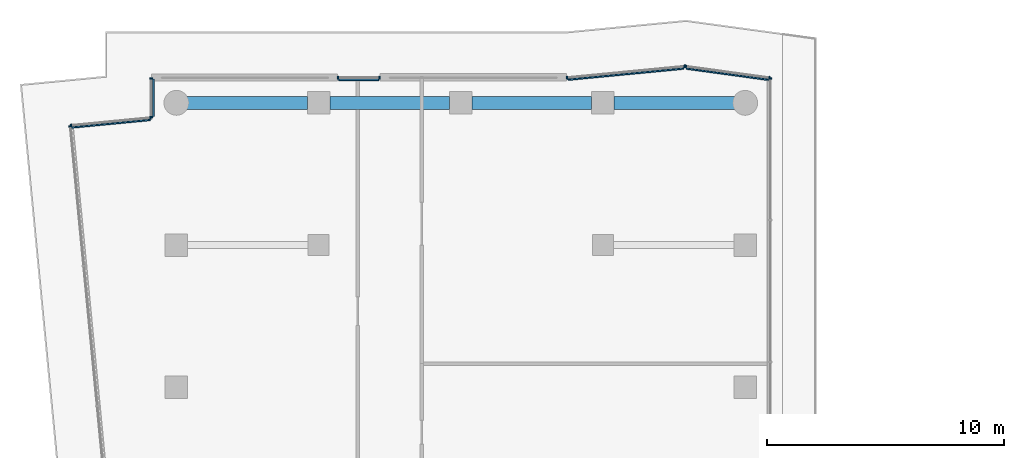
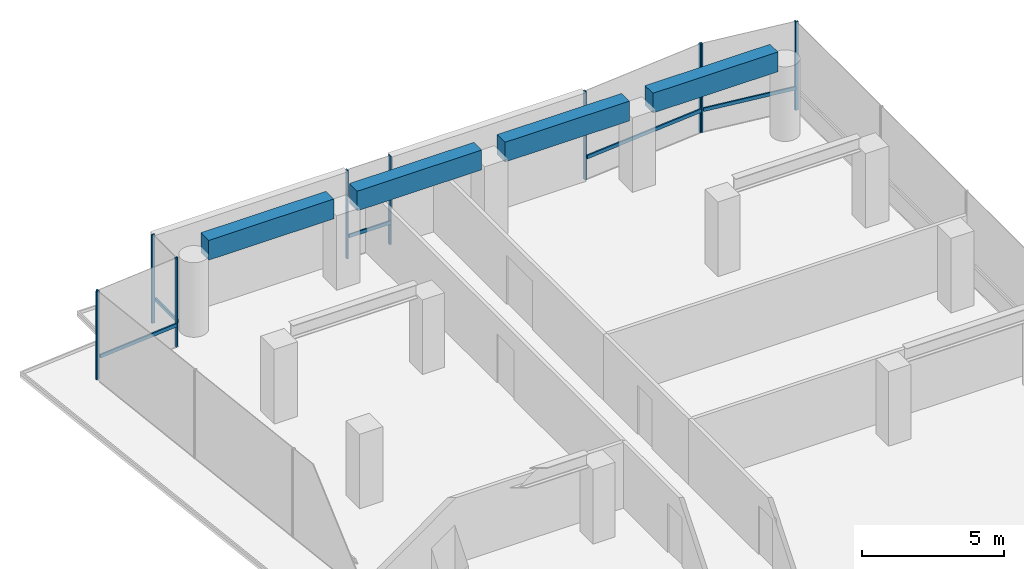
# One storey, part 16 of 22: 17 members, 4 beams, 7 elements without a shape of their own.
"""IFC4 building model written with IfcOpenShell, lengths in metres."""

from ifc_helpers import new_model, si_unit, direction, frame, origin, origin_2d, place, context, subcontext, project, spatial, rectangle, extrude, material, layer, layer_set, material_profile, profile_set, type_object, element, aggregate, save


model = new_model("IFC4")

# Units and contexts
model_context = context("Model", 3, precision=1e-05, world=origin(), true_north=direction((0.0, 1.0)))
body_context = subcontext(model_context, "Body", "Model", "MODEL_VIEW")
ifc_project = project(units=[si_unit("LENGTHUNIT", "METRE"), si_unit("AREAUNIT", "SQUARE_METRE"), si_unit("VOLUMEUNIT", "CUBIC_METRE"), si_unit("PLANEANGLEUNIT", "RADIAN"), si_unit("MASSUNIT", "GRAM", prefix="KILO")], contexts=[model_context])

# Site, building, storey
site_placement = place(None, origin())
site = spatial("IfcSite", under=ifc_project, at=site_placement, CompositionType="ELEMENT")
building_placement = place(site_placement, origin())
building = spatial("IfcBuilding", under=site, at=building_placement, Name="Welwitschia Terrace Campus", CompositionType="ELEMENT")
storey_placement = place(building_placement, frame((0.0, 0.0, 192.800048828125)))
storey = spatial("IfcBuildingStorey", under=building, at=storey_placement, Name="L43", CompositionType="ELEMENT", Elevation=192.800048828125)

# Curtain wall, member
ifc_material_1 = material(Name="Bronze anodised aluminium", Category="aluminium")
ifc_layer = layer(ifc_material_1, 0.1201171875)
ifc_layer_set = layer_set([ifc_layer], Name="Bronze anodised aluminium")
curtain_wall_type = type_object("IfcCurtainWallType", Name="Curtain wall CW2 tower 6000", PredefinedType="NOTDEFINED", material=ifc_layer_set)
curtain_wall_1_placement = place(storey_placement, origin())
curtain_wall_1 = element("IfcCurtainWall", 1, at=curtain_wall_1_placement, inside=storey, type_object=curtain_wall_type, Name="CW L43.0.0", PredefinedType="NOTDEFINED")
ifc_material_2 = material(Name="Bronze anodised aluminium", Category="aluminium")
ifc_material_profile_1 = material_profile(ifc_material_2, rectangle(XDim=0.1201171875, YDim=0.06005859375, at=origin_2d()))
ifc_profile_set_1 = profile_set([ifc_material_profile_1], Name="Bronze anodised aluminium")
member_type_1 = type_object("IfcMemberType", Name="Mullion 60x120", PredefinedType="MULLION", material=ifc_profile_set_1)
member_1_placement = place(storey_placement, frame((-4.47509765625, 61.012451171875, 0.0), z_axis=(0.0, 0.0, 1.0), x_axis=(0.995396198367, 0.09584575252, 0.0)))
member_1 = element("IfcMember", 2, at=member_1_placement, type_object=member_type_1, Name="Mullion L43.0.0.0", PredefinedType="MULLION", context=body_context, shape_type="SweptSolid", body=[
    extrude(rectangle(XDim=0.1201171875, YDim=0.06005859375, at=origin_2d()), origin(), (0.0, 0.0, 1.0), 3.800048828125),
])
aggregate(curtain_wall_1, [member_1])

curtain_wall_2_placement = place(storey_placement, origin())
curtain_wall_2 = element("IfcCurtainWall", 3, at=curtain_wall_2_placement, inside=storey, type_object=curtain_wall_type, Name="CW L43.10.0", PredefinedType="NOTDEFINED")
member_2_placement = place(storey_placement, frame((25.05810546875, 63.0205078125, 0.0), z_axis=(0.0, 0.0, 1.0), x_axis=(-1.0, 0.0, 0.0)))
member_2 = element("IfcMember", 4, at=member_2_placement, type_object=member_type_1, Name="Mullion L43.10.0.6", PredefinedType="MULLION", context=body_context, shape_type="SweptSolid", body=[
    extrude(rectangle(XDim=0.1201171875, YDim=0.06005859375, at=origin_2d()), origin(), (0.0, 0.0, 1.0), 3.800048828125),
])
aggregate(curtain_wall_2, [member_2])

# Curtain wall, members
curtain_wall_3_placement = place(storey_placement, origin())
curtain_wall_3 = element("IfcCurtainWall", 5, at=curtain_wall_3_placement, inside=storey, type_object=curtain_wall_type, Name="CW L43.11.0", PredefinedType="NOTDEFINED")
member_3_placement = place(storey_placement, frame((25.0283203125, 63.0546875, 0.0), z_axis=(0.0, 0.0, 1.0), x_axis=(-0.135155183395, -0.990824442775, 0.0)))
member_3 = element("IfcMember", 6, at=member_3_placement, type_object=member_type_1, Name="Mullion L43.11.0.0", PredefinedType="MULLION", context=body_context, shape_type="SweptSolid", body=[
    extrude(rectangle(XDim=0.1201171875, YDim=0.06005859375, at=origin_2d()), origin(), (0.0, 0.0, 1.0), 3.800048828125),
])
member_4_placement = place(storey_placement, frame((21.496337890625, 63.536376953125, 0.0), z_axis=(0.0, 0.0, 1.0), x_axis=(-0.135155183395, -0.990824442775, 0.0)))
member_4 = element("IfcMember", 7, at=member_4_placement, type_object=member_type_1, Name="Mullion L43.11.0.1", PredefinedType="MULLION", context=body_context, shape_type="SweptSolid", body=[
    extrude(rectangle(XDim=0.1201171875, YDim=0.06005859375, at=origin_2d()), origin(), (0.0, 0.0, 1.0), 3.800048828125),
])

curtain_wall_4_placement = place(storey_placement, origin())
curtain_wall_4 = element("IfcCurtainWall", 8, at=curtain_wall_4_placement, inside=storey, type_object=curtain_wall_type, Name="CW L43.12.0", PredefinedType="NOTDEFINED")
member_5_placement = place(storey_placement, frame((21.436767578125, 63.53759765625, 0.0), z_axis=(0.0, 0.0, 1.0), x_axis=(0.09584575252, -0.995396198367, 0.0)))
member_5 = element("IfcMember", 9, at=member_5_placement, type_object=member_type_1, Name="Mullion L43.12.0.0", PredefinedType="MULLION", context=body_context, shape_type="SweptSolid", body=[
    extrude(rectangle(XDim=0.1201171875, YDim=0.06005859375, at=origin_2d()), origin(), (0.0, 0.0, 1.0), 3.800048828125),
])
member_6_placement = place(storey_placement, frame((16.485595703125, 63.060791015625, 0.0), z_axis=(0.0, 0.0, 1.0), x_axis=(0.09584575252, -0.995396198367, 0.0)))
member_6 = element("IfcMember", 10, at=member_6_placement, type_object=member_type_1, Name="Mullion L43.12.0.1", PredefinedType="MULLION", context=body_context, shape_type="SweptSolid", body=[
    extrude(rectangle(XDim=0.1201171875, YDim=0.06005859375, at=origin_2d()), origin(), (0.0, 0.0, 1.0), 3.800048828125),
])

curtain_wall_5_placement = place(storey_placement, origin())
curtain_wall_5 = element("IfcCurtainWall", 11, at=curtain_wall_5_placement, inside=storey, type_object=curtain_wall_type, Name="CW L43.13.S0", PredefinedType="NOTDEFINED")
member_7_placement = place(storey_placement, frame((8.56884765625, 63.05810546875, 0.0), z_axis=(0.0, 0.0, 1.0), x_axis=(0.0, -1.0, 0.0)))
member_7 = element("IfcMember", 12, at=member_7_placement, type_object=member_type_1, Name="Mullion L43.13.S0.0", PredefinedType="MULLION", context=body_context, shape_type="SweptSolid", body=[
    extrude(rectangle(XDim=0.1201171875, YDim=0.06005859375, at=origin_2d()), origin(), (0.0, 0.0, 1.0), 3.800048828125),
])
member_8_placement = place(storey_placement, frame((6.828857421875, 63.05810546875, 0.0), z_axis=(0.0, 0.0, 1.0), x_axis=(0.0, -1.0, 0.0)))
member_8 = element("IfcMember", 13, at=member_8_placement, type_object=member_type_1, Name="Mullion L43.13.S0.1", PredefinedType="MULLION", context=body_context, shape_type="SweptSolid", body=[
    extrude(rectangle(XDim=0.1201171875, YDim=0.06005859375, at=origin_2d()), origin(), (0.0, 0.0, 1.0), 3.800048828125),
])

curtain_wall_6_placement = place(storey_placement, origin())
curtain_wall_6 = element("IfcCurtainWall", 14, at=curtain_wall_6_placement, inside=storey, type_object=curtain_wall_type, Name="CW L43.14.0", PredefinedType="NOTDEFINED")
member_9_placement = place(storey_placement, frame((-1.05810546875, 63.028076171875, 0.0), z_axis=(0.0, 0.0, 1.0), x_axis=(1.0, 0.0, 0.0)))
member_9 = element("IfcMember", 15, at=member_9_placement, type_object=member_type_1, Name="Mullion L43.14.0.0", PredefinedType="MULLION", context=body_context, shape_type="SweptSolid", body=[
    extrude(rectangle(XDim=0.1201171875, YDim=0.06005859375, at=origin_2d()), origin(), (0.0, 0.0, 1.0), 3.800048828125),
])
member_10_placement = place(storey_placement, frame((-1.05810546875, 61.401611328125, 0.0), z_axis=(0.0, 0.0, 1.0), x_axis=(1.0, 0.0, 0.0)))
member_10 = element("IfcMember", 16, at=member_10_placement, type_object=member_type_1, Name="Mullion L43.14.0.1", PredefinedType="MULLION", context=body_context, shape_type="SweptSolid", body=[
    extrude(rectangle(XDim=0.1201171875, YDim=0.06005859375, at=origin_2d()), origin(), (0.0, 0.0, 1.0), 3.800048828125),
])

curtain_wall_7_placement = place(storey_placement, origin())
curtain_wall_7 = element("IfcCurtainWall", 17, at=curtain_wall_7_placement, inside=storey, type_object=curtain_wall_type, Name="CW L43.15.0", PredefinedType="NOTDEFINED")
member_11_placement = place(storey_placement, frame((-1.087890625, 61.36865234375, 0.0), z_axis=(0.0, 0.0, 1.0), x_axis=(0.09584575252, -0.995396198367, 0.0)))
member_11 = element("IfcMember", 18, at=member_11_placement, type_object=member_type_1, Name="Mullion L43.15.0.0", PredefinedType="MULLION", context=body_context, shape_type="SweptSolid", body=[
    extrude(rectangle(XDim=0.1201171875, YDim=0.06005859375, at=origin_2d()), origin(), (0.0, 0.0, 1.0), 3.800048828125),
])
member_12_placement = place(storey_placement, frame((-4.4482421875, 61.045166015625, 0.0), z_axis=(0.0, 0.0, 1.0), x_axis=(0.09584575252, -0.995396198367, 0.0)))
member_12 = element("IfcMember", 19, at=member_12_placement, type_object=member_type_1, Name="Mullion L43.15.0.1", PredefinedType="MULLION", context=body_context, shape_type="SweptSolid", body=[
    extrude(rectangle(XDim=0.1201171875, YDim=0.06005859375, at=origin_2d()), origin(), (0.0, 0.0, 1.0), 3.800048828125),
])

# Beams
ifc_material_3 = material(Name="Concrete C50/60", Category="concrete")
ifc_material_profile_2 = material_profile(ifc_material_3, rectangle(XDim=0.550048828125, YDim=0.85009765625, at=origin_2d()))
ifc_profile_set_2 = profile_set([ifc_material_profile_2], Name="Concrete C50/60")
beam_type = type_object("IfcBeamType", Name="Ring spandrel 550x850", PredefinedType="SPANDREL", material=ifc_profile_set_2)
beam_1_placement = place(storey_placement, frame((23.552001953125, 62.0, 3.375), z_axis=(-1.0, 0.0, 0.0), x_axis=(0.0, -1.0, 0.0)))
element("IfcBeam", 20, at=beam_1_placement, inside=storey, type_object=beam_type, Name="Spandrel SP3", PredefinedType="SPANDREL", context=body_context, shape_type="SweptSolid", body=[
    extrude(rectangle(XDim=0.550048828125, YDim=0.85009765625, at=origin_2d()), origin(), (0.0, 0.0, 1.0), 5.076416015625),
])
for number, where, z_axis, x_axis, name in (
    (21, (17.5244140625, 62.0, 3.375), (-1.0, 0.0, 0.0), (0.0, -1.0, 0.0), "Spandrel SP3"),
    (22, (11.5244140625, 62.0, 3.375), (-1.0, 0.0, 0.0), (0.0, -1.0, 0.0), "Spandrel SP3"),
):
    element("IfcBeam", number, at=place(storey_placement, frame(where, z_axis=z_axis, x_axis=x_axis)), inside=storey, type_object=beam_type, Name=name, PredefinedType="SPANDREL", context=body_context, shape_type="SweptSolid", body=[
        extrude(rectangle(XDim=0.550048828125, YDim=0.85009765625, at=origin_2d()), origin(), (0.0, 0.0, 1.0), 5.048828125),
    ])
beam_2_placement = place(storey_placement, frame((5.5244140625, 62.0, 3.375), z_axis=(-1.0, 0.0, 0.0), x_axis=(0.0, -1.0, 0.0)))
element("IfcBeam", 23, at=beam_2_placement, inside=storey, type_object=beam_type, Name="Spandrel SP3", PredefinedType="SPANDREL", context=body_context, shape_type="SweptSolid", body=[
    extrude(rectangle(XDim=0.550048828125, YDim=0.85009765625, at=origin_2d()), origin(), (0.0, 0.0, 1.0), 5.076416015625),
])

# Member
ifc_material_4 = material(Name="Bronze anodised aluminium", Category="aluminium")
ifc_material_profile_3 = material_profile(ifc_material_4, rectangle(XDim=0.06005859375, YDim=0.14990234375, at=origin_2d()))
ifc_profile_set_3 = profile_set([ifc_material_profile_3], Name="Bronze anodised aluminium")
member_type_2 = type_object("IfcMemberType", Name="Transom 60x150", PredefinedType="USERDEFINED", material=ifc_profile_set_3)
member_13_placement = place(storey_placement, frame((24.986328125, 62.969482421875, 1.0), z_axis=(-0.990825504373, 0.135147400582, 0.0), x_axis=(-0.135147400582, -0.990825504373, 0.0)))
member_13 = element("IfcMember", 24, at=member_13_placement, type_object=member_type_2, Name="Transom L43.11.0", ObjectType="TRANSOM", PredefinedType="USERDEFINED", context=body_context, shape_type="SweptSolid", body=[
    extrude(rectangle(XDim=0.06005859375, YDim=0.14990234375, at=origin_2d()), origin(), (0.0, 0.0, 1.0), 3.504638671875),
])

aggregate(curtain_wall_3, [member_3, member_4, member_13])

member_14_placement = place(storey_placement, frame((21.41552734375, 63.445068359375, 1.0), z_axis=(-0.99539737076, -0.095833575973, 0.0), x_axis=(0.095833575973, -0.99539737076, 0.0)))
member_14 = element("IfcMember", 25, at=member_14_placement, type_object=member_type_2, Name="Transom L43.12.0", ObjectType="TRANSOM", PredefinedType="USERDEFINED", context=body_context, shape_type="SweptSolid", body=[
    extrude(rectangle(XDim=0.06005859375, YDim=0.14990234375, at=origin_2d()), origin(), (0.0, 0.0, 1.0), 4.914306640625),
])

aggregate(curtain_wall_4, [member_5, member_6, member_14])

member_15_placement = place(storey_placement, frame((8.538818359375, 62.968017578125, 1.0), z_axis=(-1.0, 0.0, 0.0), x_axis=(0.0, -1.0, 0.0)))
member_15 = element("IfcMember", 26, at=member_15_placement, type_object=member_type_2, Name="Transom L43.13.S0", ObjectType="TRANSOM", PredefinedType="USERDEFINED", context=body_context, shape_type="SweptSolid", body=[
    extrude(rectangle(XDim=0.06005859375, YDim=0.14990234375, at=origin_2d()), origin(), (0.0, 0.0, 1.0), 1.679931640625),
])

aggregate(curtain_wall_5, [member_7, member_8, member_15])

member_16_placement = place(storey_placement, frame((-0.968017578125, 62.998046875, 1.0), z_axis=(0.0, -1.0, 0.0), x_axis=(1.0, 0.0, 0.0)))
member_16 = element("IfcMember", 27, at=member_16_placement, type_object=member_type_2, Name="Transom L43.14.0", ObjectType="TRANSOM", PredefinedType="USERDEFINED", context=body_context, shape_type="SweptSolid", body=[
    extrude(rectangle(XDim=0.06005859375, YDim=0.14990234375, at=origin_2d()), origin(), (0.0, 0.0, 1.0), 1.56640625),
])

aggregate(curtain_wall_6, [member_9, member_10, member_16])

member_17_placement = place(storey_placement, frame((-1.109130859375, 61.2763671875, 1.0), z_axis=(-0.995394313081, -0.095865329953, 0.0), x_axis=(0.095865329953, -0.995394313081, 0.0)))
member_17 = element("IfcMember", 28, at=member_17_placement, type_object=member_type_2, Name="Transom L43.15.0", ObjectType="TRANSOM", PredefinedType="USERDEFINED", context=body_context, shape_type="SweptSolid", body=[
    extrude(rectangle(XDim=0.06005859375, YDim=0.14990234375, at=origin_2d()), origin(), (0.0, 0.0, 1.0), 3.31591796875),
])

aggregate(curtain_wall_7, [member_11, member_12, member_17])

save(model, "model.ifc")
